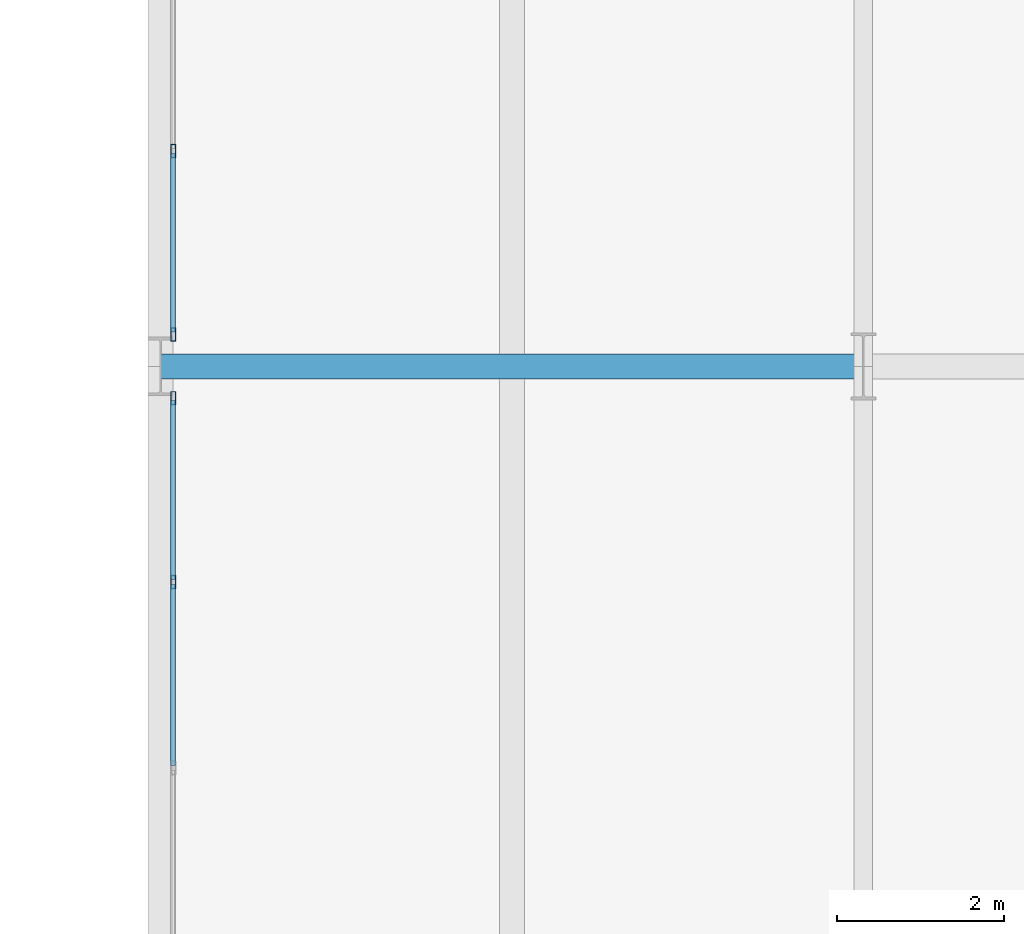
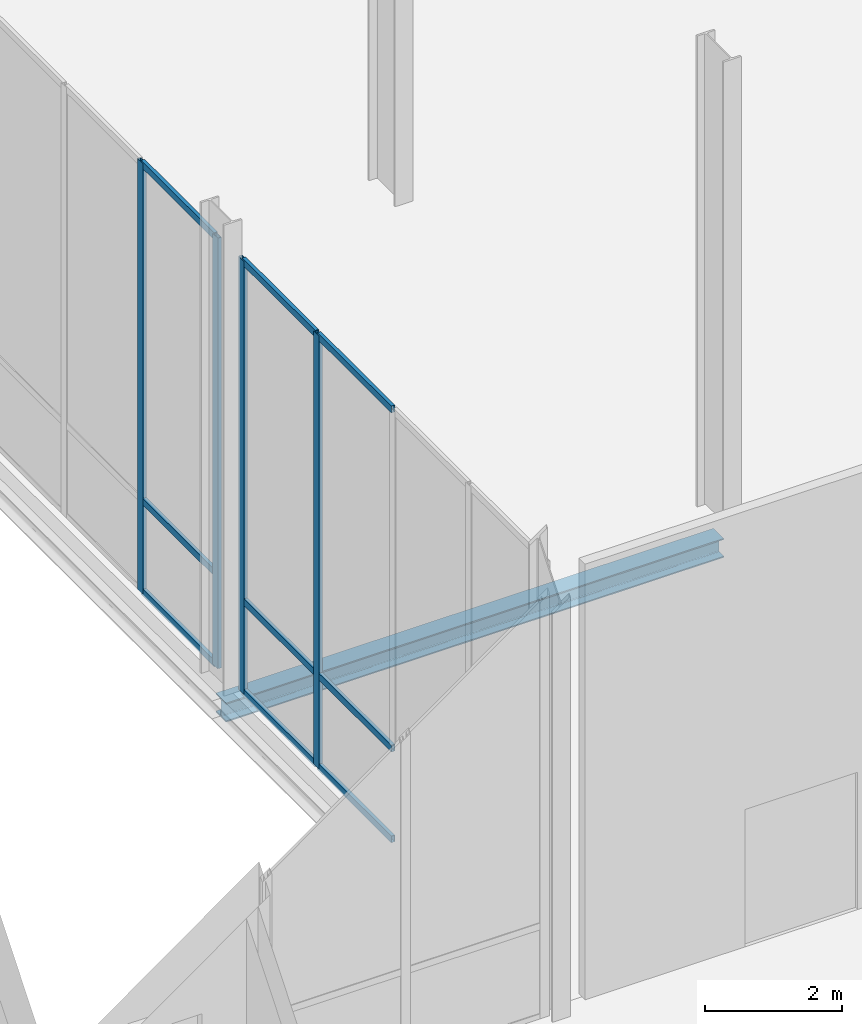
# One storey, part 58 of 131: 13 members, 1 beam, 2 elements without a shape of their own.
"""IFC4 building model written with IfcOpenShell, lengths in metres."""

from ifc_helpers import new_model, si_unit, direction, frame, origin, origin_2d, place, context, subcontext, project, spatial, hollow_rectangle, i_section, extrude, material, material_profile, profile_set, type_object, element, aggregate, save


model = new_model("IFC4")

# Units and contexts
model_context = context("Model", 3, precision=1e-05, world=origin(), true_north=direction((0.0, 1.0)))
body_context = subcontext(model_context, "Body", "Model", "MODEL_VIEW")
ifc_project = project(units=[si_unit("LENGTHUNIT", "METRE"), si_unit("AREAUNIT", "SQUARE_METRE"), si_unit("VOLUMEUNIT", "CUBIC_METRE"), si_unit("PLANEANGLEUNIT", "RADIAN"), si_unit("MASSUNIT", "GRAM", prefix="KILO")], contexts=[model_context])

# Site, building, storey
site_placement = place(None, origin())
site = spatial("IfcSite", under=ifc_project, at=site_placement, CompositionType="ELEMENT")
building_placement = place(site_placement, origin())
building = spatial("IfcBuilding", under=site, at=building_placement, Name="Veltarok Museum of Natural Sciences", CompositionType="ELEMENT")
storey_placement = place(building_placement, origin())
storey = spatial("IfcBuildingStorey", under=building, at=storey_placement, Name="L00", CompositionType="ELEMENT", Elevation=0.0)

# Curtain wall, members
ifc_material_1 = material(Name="Low-iron triple insulated glass", Category="glass")
curtain_wall_type_1 = type_object("IfcCurtainWallType", Name="Curtain Wall System CW-V2NPW-L00-1-890x773 (CW-V2NPW L00 890x773cm)", PredefinedType="NOTDEFINED", material=ifc_material_1)
curtain_wall_1_placement = place(storey_placement, origin())
curtain_wall_1 = element("IfcCurtainWall", 1, at=curtain_wall_1_placement, inside=storey, type_object=curtain_wall_type_1, Name="Curtain Wall CW-V2NPW-L00-1-890x773 CW-0213", PredefinedType="NOTDEFINED")
ifc_material_2 = material(Name="Thermally broken anodised aluminium", Category="aluminium")
ifc_material_profile_1 = material_profile(ifc_material_2, hollow_rectangle(XDim=0.06005859375, YDim=0.1201171875, WallThickness=0.0048828125, at=origin_2d()), Name="CW TRANSOM 60x120x5")
ifc_profile_set_1 = profile_set([ifc_material_profile_1], Name="Thermally broken anodised aluminium")
member_type_1 = type_object("IfcMemberType", Name="Curtain Wall Horizontal Transom 60x120x5", PredefinedType="USERDEFINED", material=ifc_profile_set_1)
member_1_placement = place(storey_placement, frame((56.949951171875, 76.830078125, 0.028076171875), z_axis=(0.0, 1.0, 0.0), x_axis=(-1.0, 0.0, 0.0)))
member_1 = element("IfcMember", 2, at=member_1_placement, type_object=member_type_1, Name="CW-V2NPW-L00-1-890x773 transom 3.1", ObjectType="TRANSOM", PredefinedType="USERDEFINED", context=body_context, shape_type="SweptSolid", body=[
    extrude(hollow_rectangle(XDim=0.06005859375, YDim=0.1201171875, WallThickness=0.0048828125, at=origin_2d()), origin(), (0.0, 0.0, 1.0), 2.1650390625),
])
member_2_placement = place(storey_placement, frame((56.949951171875, 76.830078125, 1.64794921875), z_axis=(0.0, 1.0, 0.0), x_axis=(-1.0, 0.0, 0.0)))
member_2 = element("IfcMember", 3, at=member_2_placement, type_object=member_type_1, Name="CW-V2NPW-L00-1-890x773 transom 3.2", ObjectType="TRANSOM", PredefinedType="USERDEFINED", context=body_context, shape_type="SweptSolid", body=[
    extrude(hollow_rectangle(XDim=0.06005859375, YDim=0.1201171875, WallThickness=0.0048828125, at=origin_2d()), origin(), (0.0, 0.0, 1.0), 2.1650390625),
])
member_3_placement = place(storey_placement, frame((56.949951171875, 76.830078125, 7.699951171875), z_axis=(0.0, 1.0, 0.0), x_axis=(-1.0, 0.0, 0.0)))
member_3 = element("IfcMember", 4, at=member_3_placement, type_object=member_type_1, Name="CW-V2NPW-L00-1-890x773 transom 3.3", ObjectType="TRANSOM", PredefinedType="USERDEFINED", context=body_context, shape_type="SweptSolid", body=[
    extrude(hollow_rectangle(XDim=0.06005859375, YDim=0.1201171875, WallThickness=0.0048828125, at=origin_2d()), origin(), (0.0, 0.0, 1.0), 2.1650390625),
])
member_4_placement = place(storey_placement, frame((56.949951171875, 79.054931640625, 0.028076171875), z_axis=(0.0, 1.0, 0.0), x_axis=(-1.0, 0.0, 0.0)))
member_4 = element("IfcMember", 5, at=member_4_placement, type_object=member_type_1, Name="CW-V2NPW-L00-1-890x773 transom 4.1", ObjectType="TRANSOM", PredefinedType="USERDEFINED", context=body_context, shape_type="SweptSolid", body=[
    extrude(hollow_rectangle(XDim=0.06005859375, YDim=0.1201171875, WallThickness=0.0048828125, at=origin_2d()), origin(), (0.0, 0.0, 1.0), 2.135009765625),
])
member_5_placement = place(storey_placement, frame((56.949951171875, 79.054931640625, 1.64794921875), z_axis=(0.0, 1.0, 0.0), x_axis=(-1.0, 0.0, 0.0)))
member_5 = element("IfcMember", 6, at=member_5_placement, type_object=member_type_1, Name="CW-V2NPW-L00-1-890x773 transom 4.2", ObjectType="TRANSOM", PredefinedType="USERDEFINED", context=body_context, shape_type="SweptSolid", body=[
    extrude(hollow_rectangle(XDim=0.06005859375, YDim=0.1201171875, WallThickness=0.0048828125, at=origin_2d()), origin(), (0.0, 0.0, 1.0), 2.135009765625),
])
member_6_placement = place(storey_placement, frame((56.949951171875, 79.054931640625, 7.699951171875), z_axis=(0.0, 1.0, 0.0), x_axis=(-1.0, 0.0, 0.0)))
member_6 = element("IfcMember", 7, at=member_6_placement, type_object=member_type_1, Name="CW-V2NPW-L00-1-890x773 transom 4.3", ObjectType="TRANSOM", PredefinedType="USERDEFINED", context=body_context, shape_type="SweptSolid", body=[
    extrude(hollow_rectangle(XDim=0.06005859375, YDim=0.1201171875, WallThickness=0.0048828125, at=origin_2d()), origin(), (0.0, 0.0, 1.0), 2.135009765625),
])

curtain_wall_type_2 = type_object("IfcCurtainWallType", Name="Curtain Wall System CW-V2NPW-L00-2-890x768 (CW-V2NPW L00 890x768cm)", PredefinedType="NOTDEFINED", material=ifc_material_1)
curtain_wall_2_placement = place(storey_placement, origin())
curtain_wall_2 = element("IfcCurtainWall", 8, at=curtain_wall_2_placement, inside=storey, type_object=curtain_wall_type_2, Name="Curtain Wall CW-V2NPW-L00-2-890x768 CW-0214", PredefinedType="NOTDEFINED")
member_7_placement = place(storey_placement, frame((56.949951171875, 82.010009765625, 0.028076171875), z_axis=(0.0, 1.0, 0.0), x_axis=(-1.0, 0.0, 0.0)))
member_7 = element("IfcMember", 9, at=member_7_placement, type_object=member_type_1, Name="CW-V2NPW-L00-2-890x768 transom 1.1", ObjectType="TRANSOM", PredefinedType="USERDEFINED", context=body_context, shape_type="SweptSolid", body=[
    extrude(hollow_rectangle(XDim=0.06005859375, YDim=0.1201171875, WallThickness=0.0048828125, at=origin_2d()), origin(), (0.0, 0.0, 1.0), 2.135009765625),
])
member_8_placement = place(storey_placement, frame((56.949951171875, 82.010009765625, 1.64794921875), z_axis=(0.0, 1.0, 0.0), x_axis=(-1.0, 0.0, 0.0)))
member_8 = element("IfcMember", 10, at=member_8_placement, type_object=member_type_1, Name="CW-V2NPW-L00-2-890x768 transom 1.2", ObjectType="TRANSOM", PredefinedType="USERDEFINED", context=body_context, shape_type="SweptSolid", body=[
    extrude(hollow_rectangle(XDim=0.06005859375, YDim=0.1201171875, WallThickness=0.0048828125, at=origin_2d()), origin(), (0.0, 0.0, 1.0), 2.135009765625),
])
member_9_placement = place(storey_placement, frame((56.949951171875, 82.010009765625, 7.64990234375), z_axis=(0.0, 1.0, 0.0), x_axis=(-1.0, 0.0, 0.0)))
member_9 = element("IfcMember", 11, at=member_9_placement, type_object=member_type_1, Name="CW-V2NPW-L00-2-890x768 transom 1.3", ObjectType="TRANSOM", PredefinedType="USERDEFINED", context=body_context, shape_type="SweptSolid", body=[
    extrude(hollow_rectangle(XDim=0.06005859375, YDim=0.1201171875, WallThickness=0.0048828125, at=origin_2d()), origin(), (0.0, 0.0, 1.0), 2.135009765625),
])

# Member
ifc_material_profile_2 = material_profile(ifc_material_2, hollow_rectangle(XDim=0.06005859375, YDim=0.159912109375, WallThickness=0.0048828125, at=origin_2d()), Name="CW MULLION 60x160x5")
ifc_profile_set_2 = profile_set([ifc_material_profile_2], Name="Thermally broken anodised aluminium")
member_type_2 = type_object("IfcMemberType", Name="Curtain Wall Vertical Mullion 60x160x5", PredefinedType="MULLION", material=ifc_profile_set_2)
member_10_placement = place(storey_placement, frame((56.949951171875, 79.02490234375, -0.001953125), z_axis=(0.0, 0.0, 1.0), x_axis=(-1.0, 0.0, 0.0)))
member_10 = element("IfcMember", 12, at=member_10_placement, type_object=member_type_2, Name="CW-V2NPW-L00-1-890x773 mullion 4", PredefinedType="MULLION", context=body_context, shape_type="SweptSolid", body=[
    extrude(hollow_rectangle(XDim=0.06005859375, YDim=0.159912109375, WallThickness=0.0048828125, at=origin_2d()), origin(), (0.0, 0.0, 1.0), 7.73193359375),
])

member_11_placement = place(storey_placement, frame((56.949951171875, 81.219970703125, -0.001953125), z_axis=(0.0, 0.0, 1.0), x_axis=(-1.0, 0.0, 0.0)))
member_11 = element("IfcMember", 13, at=member_11_placement, type_object=member_type_2, Name="CW-V2NPW-L00-1-890x773 mullion 5", PredefinedType="MULLION", context=body_context, shape_type="SweptSolid", body=[
    extrude(hollow_rectangle(XDim=0.06005859375, YDim=0.159912109375, WallThickness=0.0048828125, at=origin_2d()), origin(), (0.0, 0.0, 1.0), 7.73193359375),
])

aggregate(curtain_wall_1, [member_10, member_11, member_1, member_2, member_3, member_4, member_5, member_6])

member_12_placement = place(storey_placement, frame((56.949951171875, 81.97998046875, -0.001953125), z_axis=(0.0, 0.0, 1.0), x_axis=(-1.0, 0.0, 0.0)))
member_12 = element("IfcMember", 14, at=member_12_placement, type_object=member_type_2, Name="CW-V2NPW-L00-2-890x768 mullion 1", PredefinedType="MULLION", context=body_context, shape_type="SweptSolid", body=[
    extrude(hollow_rectangle(XDim=0.06005859375, YDim=0.159912109375, WallThickness=0.0048828125, at=origin_2d()), origin(), (0.0, 0.0, 1.0), 7.681884765625),
])

member_13_placement = place(storey_placement, frame((56.949951171875, 84.175048828125, -0.001953125), z_axis=(0.0, 0.0, 1.0), x_axis=(-1.0, 0.0, 0.0)))
member_13 = element("IfcMember", 15, at=member_13_placement, type_object=member_type_2, Name="CW-V2NPW-L00-2-890x768 mullion 2", PredefinedType="MULLION", context=body_context, shape_type="SweptSolid", body=[
    extrude(hollow_rectangle(XDim=0.06005859375, YDim=0.159912109375, WallThickness=0.0048828125, at=origin_2d()), origin(), (0.0, 0.0, 1.0), 7.681884765625),
])

aggregate(curtain_wall_2, [member_12, member_13, member_7, member_8, member_9])

# Beam
ifc_material_3 = material(Name="Steel S355J2", Category="steel")
ifc_material_profile_3 = material_profile(ifc_material_3, i_section(OverallWidth=0.300048828125, OverallDepth=0.340087890625, WebThickness=0.011962890625, FlangeThickness=0.021484375, FilletRadius=0.027099609375, at=origin_2d()), Name="HEB 340")
ifc_profile_set_3 = profile_set([ifc_material_profile_3], Name="Steel S355J2")
beam_type = type_object("IfcBeamType", Name="Perimeter Bridge Spandrel HEB 340", PredefinedType="SPANDREL", material=ifc_profile_set_3)
beam_placement = place(storey_placement, frame((56.800048828125, 81.60009765625, -0.469970703125), z_axis=(1.0, 0.0, 0.0), x_axis=(0.0, 1.0, 0.0)))
element("IfcBeam", 16, at=beam_placement, inside=storey, type_object=beam_type, Name="Beam BM-SP07 L00 7-8/J", PredefinedType="SPANDREL", context=body_context, shape_type="SweptSolid", body=[
    extrude(i_section(OverallWidth=0.300048828125, OverallDepth=0.340087890625, WebThickness=0.011962890625, FlangeThickness=0.021484375, FilletRadius=0.027099609375, at=origin_2d()), origin(), (0.0, 0.0, 1.0), 8.39990234375),
])

save(model, "model.ifc")
